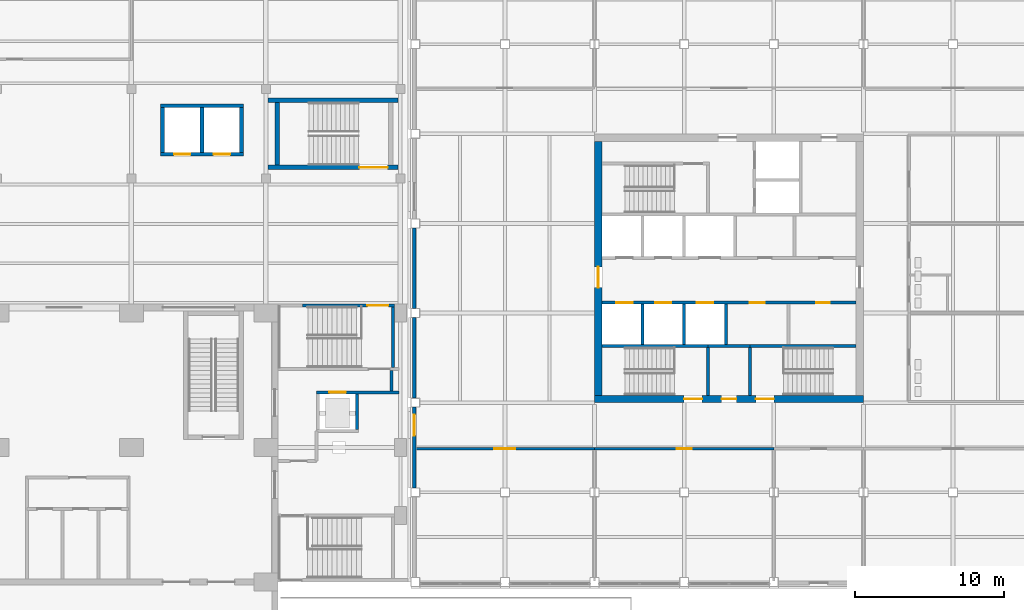
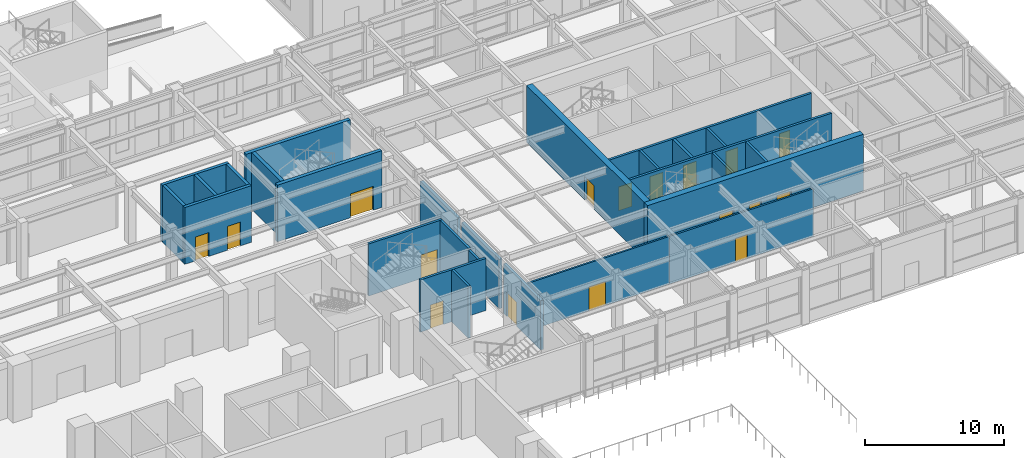
# One storey, part 45 of 77: 29 walls, 17 doors, 17 openings.
"""IFC4 building model written with IfcOpenShell, lengths in metres."""

from ifc_helpers import new_model, si_unit, direction, frame, frame_2d, origin, place, context, subcontext, project, spatial, rectangle, extrude, material, layer, layer_set, type_object, element, fill, save


model = new_model("IFC4")

# Units and contexts
model_context = context("Model", 3, precision=1e-05, world=origin(), true_north=direction((0.0, 1.0)))
body_context = subcontext(model_context, "Body", "Model", "MODEL_VIEW")
ifc_project = project(units=[si_unit("LENGTHUNIT", "METRE"), si_unit("AREAUNIT", "SQUARE_METRE"), si_unit("VOLUMEUNIT", "CUBIC_METRE"), si_unit("PLANEANGLEUNIT", "RADIAN"), si_unit("MASSUNIT", "GRAM", prefix="KILO")], contexts=[model_context])

# Site, building, storey
site_placement = place(None, origin())
site = spatial("IfcSite", under=ifc_project, at=site_placement, CompositionType="ELEMENT")
building_placement = place(site_placement, origin())
building = spatial("IfcBuilding", under=site, at=building_placement, Name="Aravalli Gate Trade Fair Centre", CompositionType="ELEMENT")
storey_placement = place(building_placement, origin())
storey = spatial("IfcBuildingStorey", under=building, at=storey_placement, Name="L00", CompositionType="ELEMENT", Elevation=0.0)

# Wall, opening, door
ifc_material_1 = material(Name="Concrete M30", Category="concrete")
ifc_layer_1 = layer(ifc_material_1, 0.2099609375, Name="Reinforced concrete")
ifc_material_2 = material(Name="Terracotta cladding", Category="masonry")
ifc_layer_2 = layer(ifc_material_2, 0.0400390625, Name="Terracotta cladding")
ifc_layer_set_1 = layer_set([ifc_layer_1, ifc_layer_2], Name="Link external wall 250")
wall_type_1 = type_object("IfcWallType", Name="Link external wall 250", PredefinedType="SOLIDWALL", material=ifc_layer_set_1)
wall_1_placement = place(storey_placement, frame((152.449951171875, 109.5, 0.0), z_axis=(0.0, 0.0, 1.0), x_axis=(1.0, 0.0, 0.0)))
wall_1 = element("IfcWall", 1, at=wall_1_placement, inside=storey, type_object=wall_type_1, Name="Link wall N2 L00", PredefinedType="SOLIDWALL", context=body_context, shape_type="SweptSolid", body=[
    extrude(rectangle(XDim=6.150146484375, YDim=0.199951171875, at=frame_2d((3.0751953125, 0.0))), origin(), (0.0, 0.0, 1.0), 4.590087890625),
])
opening_1_placement = place(wall_1_placement, frame((4.35009765625, 0.0, 0.0)))
opening_1 = element("IfcOpeningElement", 2, at=opening_1_placement, cuts=wall_1, Name="Opening T-L00-232", PredefinedType="OPENING", context=body_context, shape_type="SweptSolid", body=[
    extrude(rectangle(XDim=1.39990234375, YDim=2.10009765625, at=frame_2d((0.699951171875, 1.050048828125))), frame((0.0, 0.10986328125, 0.0), z_axis=(0.0, -1.0, 0.0), x_axis=(1.0, 0.0, 0.0)), (0.0, 0.0, 1.0), 0.219970703125),
])
ifc_material_3 = material(Name="Steel, fire rated", Category="steel")
door_type_1 = type_object("IfcDoorType", Name="Wing fire door FD120 1400 x 2100", OperationType="DOUBLE_DOOR_SINGLE_SWING", PredefinedType="DOOR", material=ifc_material_3)
door_1_placement = place(opening_1_placement, origin())
door_1 = element("IfcDoor", 3, at=door_1_placement, inside=storey, type_object=door_type_1, Name="Link exit door T-L00-232", OperationType="DOUBLE_DOOR_SINGLE_SWING", OverallHeight=2.10009765625, OverallWidth=1.39990234375, PredefinedType="DOOR", context=body_context, shape_type="SweptSolid", body=[
    extrude(rectangle(XDim=1.39990234375, YDim=2.10009765625, at=frame_2d((0.699951171875, 1.050048828125))), frame((0.0, 0.02490234375, 0.0), z_axis=(0.0, -1.0, 0.0), x_axis=(1.0, 0.0, 0.0)), (0.0, 0.0, 1.0), 0.050048828125),
])
fill(opening_1, door_1)

# Wall
ifc_layer_3 = layer(ifc_material_1, 0.199951171875)
ifc_layer_set_2 = layer_set([ifc_layer_3], Name="Concrete M30")
wall_type_2 = type_object("IfcWallType", Name="Link stair enclosure 200", PredefinedType="SOLIDWALL", material=ifc_layer_set_2)
wall_2_placement = place(storey_placement, frame((158.5, 105.35009765625, 0.0), z_axis=(0.0, 0.0, 1.0), x_axis=(0.0, 1.0, 0.0)))
element("IfcWall", 4, at=wall_2_placement, inside=storey, type_object=wall_type_2, Name="Link wall LBE L00", PredefinedType="SOLIDWALL", context=body_context, shape_type="SweptSolid", body=[
    extrude(rectangle(XDim=4.0498046875, YDim=0.199951171875, at=frame_2d((2.02490234375, 0.0))), origin(), (0.0, 0.0, 1.0), 4.590087890625),
])

# Wall, opening, door
wall_3_placement = place(storey_placement, frame((153.39990234375, 103.699951171875, 0.0), z_axis=(0.0, 0.0, 1.0), x_axis=(1.0, 0.0, 0.0)))
wall_3 = element("IfcWall", 5, at=wall_3_placement, inside=storey, type_object=wall_type_2, Name="Link wall FHS L00", PredefinedType="SOLIDWALL", context=body_context, shape_type="SweptSolid", body=[
    extrude(rectangle(XDim=5.4951171875, YDim=0.199951171875, at=frame_2d((2.74755859375, 0.0))), origin(), (0.0, 0.0, 1.0), 4.590087890625),
])
opening_2_placement = place(wall_3_placement, frame((0.85009765625, 0.0, 0.0)))
opening_2 = element("IfcOpeningElement", 6, at=opening_2_placement, cuts=wall_3, Name="Opening T-L00-194", PredefinedType="OPENING", context=body_context, shape_type="SweptSolid", body=[
    extrude(rectangle(XDim=1.10009765625, YDim=2.10009765625, at=frame_2d((0.550048828125, 1.050048828125))), frame((0.0, 0.10986328125, 0.0), z_axis=(0.0, -1.0, 0.0), x_axis=(1.0, 0.0, 0.0)), (0.0, 0.0, 1.0), 0.219970703125),
])
ifc_material_4 = material(Name="Elevator door panels")
door_type_2 = type_object("IfcDoorType", Name="Wing lift landing door 1100 x 2100", OperationType="SLIDING_TO_LEFT", PredefinedType="DOOR", material=ifc_material_4)
door_2_placement = place(opening_2_placement, origin())
door_2 = element("IfcDoor", 7, at=door_2_placement, inside=storey, type_object=door_type_2, Name="Landing door T-L00-194", OperationType="SLIDING_TO_LEFT", OverallHeight=2.10009765625, OverallWidth=1.10009765625, PredefinedType="DOOR", context=body_context, shape_type="SweptSolid", body=[
    extrude(rectangle(XDim=1.10009765625, YDim=2.10009765625, at=frame_2d((0.550048828125, 1.050048828125))), frame((0.0, 0.02490234375, 0.0), z_axis=(0.0, -1.0, 0.0), x_axis=(1.0, 0.0, 0.0)), (0.0, 0.0, 1.0), 0.050048828125),
])
fill(opening_2, door_2)

# Walls
wall_4_placement = place(storey_placement, frame((158.39990234375, 103.800048828125, 0.0), z_axis=(0.0, 0.0, 1.0), x_axis=(0.0, 1.0, 0.0)))
element("IfcWall", 8, at=wall_4_placement, inside=storey, type_object=wall_type_2, Name="Link wall FHE L00", PredefinedType="SOLIDWALL", context=body_context, shape_type="SweptSolid", body=[
    extrude(rectangle(XDim=1.349853515625, YDim=0.199951171875, at=frame_2d((0.6748046875, 0.0))), origin(), (0.0, 0.0, 1.0), 4.590087890625),
])
wall_5_placement = place(storey_placement, frame((156.10009765625, 101.199951171875, 0.0), z_axis=(0.0, 0.0, 1.0), x_axis=(0.0, 1.0, 0.0)))
element("IfcWall", 9, at=wall_5_placement, inside=storey, type_object=wall_type_2, Name="Link wall FHX L00", PredefinedType="SOLIDWALL", context=body_context, shape_type="SweptSolid", body=[
    extrude(rectangle(XDim=2.400146484375, YDim=0.199951171875, at=frame_2d((1.2001953125, 0.0))), origin(), (0.0, 0.0, 1.0), 4.590087890625),
])

# Wall, openings, doors
ifc_material_5 = material(Name="Concrete M40", Category="concrete")
ifc_layer_4 = layer(ifc_material_5, 0.25)
ifc_layer_set_3 = layer_set([ifc_layer_4], Name="Concrete M40")
wall_type_3 = type_object("IfcWallType", Name="RC core wall 250", PredefinedType="SHEAR", material=ifc_layer_set_3)
wall_6_placement = place(storey_placement, frame((142.949951171875, 119.625, 0.0), z_axis=(0.0, 0.0, 1.0), x_axis=(1.0, 0.0, 0.0)))
wall_6 = element("IfcWall", 10, at=wall_6_placement, inside=storey, type_object=wall_type_3, Name="Core wall ELS L00", PredefinedType="SHEAR", context=body_context, shape_type="SweptSolid", body=[
    extrude(rectangle(XDim=5.550048828125, YDim=0.25, at=frame_2d((2.77490234375, 0.0))), origin(), (0.0, 0.0, 1.0), 5.0),
])
opening_3_placement = place(wall_6_placement, frame((0.89990234375, 0.0, 0.0)))
opening_3 = element("IfcOpeningElement", 11, at=opening_3_placement, cuts=wall_6, Name="Opening C-L00-28", PredefinedType="OPENING", context=body_context, shape_type="SweptSolid", body=[
    extrude(rectangle(XDim=1.10009765625, YDim=2.10009765625, at=frame_2d((0.550048828125, 1.050048828125))), frame((0.0, 0.135009765625, 0.0), z_axis=(0.0, -1.0, 0.0), x_axis=(1.0, 0.0, 0.0)), (0.0, 0.0, 1.0), 0.27001953125),
])
opening_4_placement = place(wall_6_placement, frame((3.550048828125, 0.0, 0.0)))
opening_4 = element("IfcOpeningElement", 12, at=opening_4_placement, cuts=wall_6, Name="Opening C-L00-29", PredefinedType="OPENING", context=body_context, shape_type="SweptSolid", body=[
    extrude(rectangle(XDim=1.10009765625, YDim=2.10009765625, at=frame_2d((0.550048828125, 1.050048828125))), frame((0.0, 0.135009765625, 0.0), z_axis=(0.0, -1.0, 0.0), x_axis=(1.0, 0.0, 0.0)), (0.0, 0.0, 1.0), 0.27001953125),
])
door_type_3 = type_object("IfcDoorType", Name="Concourse lift landing door 1100 x 2100", OperationType="DOUBLE_DOOR_SLIDING", PredefinedType="NOTDEFINED", material=ifc_material_3)
door_3_placement = place(opening_3_placement, origin())
door_3 = element("IfcDoor", 13, at=door_3_placement, inside=storey, type_object=door_type_3, Name="Lift landing door EL1 L00", OperationType="DOUBLE_DOOR_SLIDING", OverallHeight=2.10009765625, OverallWidth=1.10009765625, PredefinedType="NOTDEFINED", context=body_context, shape_type="SweptSolid", body=[
    extrude(rectangle(XDim=1.10009765625, YDim=2.10009765625, at=frame_2d((0.550048828125, 1.050048828125))), frame((0.0, 0.02490234375, 0.0), z_axis=(0.0, -1.0, 0.0), x_axis=(1.0, 0.0, 0.0)), (0.0, 0.0, 1.0), 0.050048828125),
])
fill(opening_3, door_3)
door_4_placement = place(opening_4_placement, origin())
door_4 = element("IfcDoor", 14, at=door_4_placement, inside=storey, type_object=door_type_3, Name="Lift landing door EL2 L00", OperationType="DOUBLE_DOOR_SLIDING", OverallHeight=2.10009765625, OverallWidth=1.10009765625, PredefinedType="NOTDEFINED", context=body_context, shape_type="SweptSolid", body=[
    extrude(rectangle(XDim=1.10009765625, YDim=2.10009765625, at=frame_2d((0.550048828125, 1.050048828125))), frame((0.0, 0.02490234375, 0.0), z_axis=(0.0, -1.0, 0.0), x_axis=(1.0, 0.0, 0.0)), (0.0, 0.0, 1.0), 0.050048828125),
])
fill(opening_4, door_4)

# Walls
wall_7_placement = place(storey_placement, frame((142.949951171875, 122.875, 0.0), z_axis=(0.0, 0.0, 1.0), x_axis=(1.0, 0.0, 0.0)))
element("IfcWall", 15, at=wall_7_placement, inside=storey, type_object=wall_type_3, Name="Core wall ELN L00", PredefinedType="SHEAR", context=body_context, shape_type="SweptSolid", body=[
    extrude(rectangle(XDim=5.550048828125, YDim=0.25, at=frame_2d((2.77490234375, 0.0))), origin(), (0.0, 0.0, 1.0), 5.0),
])
for number, where, z_axis, x_axis, name in (
    (16, (143.074951171875, 119.75, 0.0), (0.0, 0.0, 1.0), (0.0, 1.0, 0.0), "Core wall ELW L00"),
    (17, (148.375, 119.75, 0.0), (0.0, 0.0, 1.0), (0.0, 1.0, 0.0), "Core wall ELE L00"),
    (18, (145.72509765625, 119.75, 0.0), (0.0, 0.0, 1.0), (0.0, 1.0, 0.0), "Core wall ELM L00"),
):
    element("IfcWall", number, at=place(storey_placement, frame(where, z_axis=z_axis, x_axis=x_axis)), inside=storey, type_object=wall_type_3, Name=name, PredefinedType="SHEAR", context=body_context, shape_type="SweptSolid", body=[
        extrude(rectangle(XDim=3.0, YDim=0.25, at=frame_2d((1.5, 0.0))), origin(), (0.0, 0.0, 1.0), 5.0),
    ])

# Wall, opening, door
ifc_layer_5 = layer(ifc_material_5, 0.300048828125)
ifc_layer_set_4 = layer_set([ifc_layer_5], Name="Concrete M40")
wall_type_4 = type_object("IfcWallType", Name="RC core wall 300", PredefinedType="SHEAR", material=ifc_layer_set_4)
wall_8_placement = place(storey_placement, frame((150.14990234375, 118.75, 0.0), z_axis=(0.0, 0.0, 1.0), x_axis=(1.0, 0.0, 0.0)))
wall_8 = element("IfcWall", 19, at=wall_8_placement, inside=storey, type_object=wall_type_4, Name="Core wall ESS L00", PredefinedType="SHEAR", context=body_context, shape_type="SweptSolid", body=[
    extrude(rectangle(XDim=8.7001953125, YDim=0.300048828125, at=frame_2d((4.35009765625, 0.0))), origin(), (0.0, 0.0, 1.0), 5.0),
])
opening_5_placement = place(wall_8_placement, frame((6.10009765625, 0.0, 0.0)))
opening_5 = element("IfcOpeningElement", 20, at=opening_5_placement, cuts=wall_8, Name="Opening C-L00-27", PredefinedType="OPENING", context=body_context, shape_type="SweptSolid", body=[
    extrude(rectangle(XDim=1.89990234375, YDim=2.10009765625, at=frame_2d((0.949951171875, 1.050048828125))), frame((0.0, 0.159912109375, 0.0), z_axis=(0.0, -1.0, 0.0), x_axis=(1.0, 0.0, 0.0)), (0.0, 0.0, 1.0), 0.320068359375),
])
door_type_4 = type_object("IfcDoorType", Name="Concourse stair door 1900 x 2100", OperationType="DOUBLE_DOOR_SINGLE_SWING", PredefinedType="NOTDEFINED", material=ifc_material_3)
door_5_placement = place(opening_5_placement, frame((1.89990234375, 0.0, 0.0), z_axis=(0.0, 0.0, 1.0), x_axis=(-1.0, 0.0, 0.0)))
door_5 = element("IfcDoor", 21, at=door_5_placement, inside=storey, type_object=door_type_4, Name="Stair door ES L00", OperationType="DOUBLE_DOOR_SINGLE_SWING", OverallHeight=2.10009765625, OverallWidth=1.89990234375, PredefinedType="NOTDEFINED", context=body_context, shape_type="SweptSolid", body=[
    extrude(rectangle(XDim=1.89990234375, YDim=2.10009765625, at=frame_2d((0.949951171875, 1.050048828125))), frame((0.0, 0.02490234375, 0.0), z_axis=(0.0, -1.0, 0.0), x_axis=(1.0, 0.0, 0.0)), (0.0, 0.0, 1.0), 0.050048828125),
])
fill(opening_5, door_5)

# Walls
wall_9_placement = place(storey_placement, frame((150.14990234375, 123.25, 0.0), z_axis=(0.0, 0.0, 1.0), x_axis=(1.0, 0.0, 0.0)))
element("IfcWall", 22, at=wall_9_placement, inside=storey, type_object=wall_type_4, Name="Core wall ESN L00", PredefinedType="SHEAR", context=body_context, shape_type="SweptSolid", body=[
    extrude(rectangle(XDim=8.7001953125, YDim=0.300048828125, at=frame_2d((4.35009765625, 0.0))), origin(), (0.0, 0.0, 1.0), 5.0),
])
wall_10_placement = place(storey_placement, frame((150.75, 118.89990234375, 0.0), z_axis=(0.0, 0.0, 1.0), x_axis=(0.0, 1.0, 0.0)))
element("IfcWall", 23, at=wall_10_placement, inside=storey, type_object=wall_type_4, Name="Core wall ESW L00", PredefinedType="SHEAR", context=body_context, shape_type="SweptSolid", body=[
    extrude(rectangle(XDim=4.2001953125, YDim=0.300048828125, at=frame_2d((2.10009765625, 0.0))), origin(), (0.0, 0.0, 1.0), 5.0),
])
ifc_layer_6 = layer(ifc_material_1, 0.199951171875)
ifc_layer_set_5 = layer_set([ifc_layer_6], Name="Concrete M30")
wall_type_5 = type_object("IfcWallType", Name="Wing core internal wall 200 (EI 120, lift shaft)", PredefinedType="SOLIDWALL", material=ifc_layer_set_5)
wall_11_placement = place(storey_placement, frame((172.5, 106.800048828125, 0.0), z_axis=(0.0, 0.0, 1.0), x_axis=(1.0, 0.0, 0.0)))
element("IfcWall", 24, at=wall_11_placement, inside=storey, type_object=wall_type_5, Name="Core wall S-REAR-W L00", PredefinedType="SOLIDWALL", context=body_context, shape_type="SweptSolid", body=[
    extrude(rectangle(XDim=7.10009765625, YDim=0.199951171875, at=frame_2d((3.550048828125, 0.0))), origin(), (0.0, 0.0, 1.0), 4.800048828125),
])
wall_12_placement = place(storey_placement, frame((179.60009765625, 106.800048828125, 0.0), z_axis=(0.0, 0.0, 1.0), x_axis=(1.0, 0.0, 0.0)))
element("IfcWall", 25, at=wall_12_placement, inside=storey, type_object=wall_type_5, Name="Core wall S-REAR-M L00", PredefinedType="SOLIDWALL", context=body_context, shape_type="SweptSolid", body=[
    extrude(rectangle(XDim=2.7998046875, YDim=0.199951171875, at=frame_2d((1.39990234375, 0.0))), origin(), (0.0, 0.0, 1.0), 4.800048828125),
])
wall_13_placement = place(storey_placement, frame((182.39990234375, 106.800048828125, 0.0), z_axis=(0.0, 0.0, 1.0), x_axis=(1.0, 0.0, 0.0)))
element("IfcWall", 26, at=wall_13_placement, inside=storey, type_object=wall_type_5, Name="Core wall S-REAR-E L00", PredefinedType="SOLIDWALL", context=body_context, shape_type="SweptSolid", body=[
    extrude(rectangle(XDim=7.10009765625, YDim=0.199951171875, at=frame_2d((3.550048828125, 0.0))), origin(), (0.0, 0.0, 1.0), 4.800048828125),
])
for number, where, z_axis, x_axis, name in (
    (27, (175.199951171875, 106.89990234375, 0.0), (0.0, 0.0, 1.0), (0.0, 1.0, 0.0), "Core wall SB-3.2 L00"),
    (28, (178.0, 106.89990234375, 0.0), (0.0, 0.0, 1.0), (0.0, 1.0, 0.0), "Core wall SB-6.0 L00"),
    (29, (180.800048828125, 106.89990234375, 0.0), (0.0, 0.0, 1.0), (0.0, 1.0, 0.0), "Core wall SB-8.8 L00"),
):
    element("IfcWall", number, at=place(storey_placement, frame(where, z_axis=z_axis, x_axis=x_axis)), inside=storey, type_object=wall_type_5, Name=name, PredefinedType="SOLIDWALL", context=body_context, shape_type="SweptSolid", body=[
        extrude(rectangle(XDim=2.7001953125, YDim=0.199951171875, at=frame_2d((1.35009765625, 0.0))), origin(), (0.0, 0.0, 1.0), 4.800048828125),
    ])

# Wall, openings, doors
wall_14_placement = place(storey_placement, frame((172.5, 109.699951171875, 0.0), z_axis=(0.0, 0.0, 1.0), x_axis=(1.0, 0.0, 0.0)))
wall_14 = element("IfcWall", 30, at=wall_14_placement, inside=storey, type_object=wall_type_5, Name="Core wall S-FRONT L00", PredefinedType="SOLIDWALL", context=body_context, shape_type="SweptSolid", body=[
    extrude(rectangle(XDim=17.0, YDim=0.199951171875, at=frame_2d((8.5, 0.0))), origin(), (0.0, 0.0, 1.0), 4.800048828125),
])
opening_6_placement = place(wall_14_placement, frame((0.949951171875, 0.0, 0.0)))
opening_6 = element("IfcOpeningElement", 31, at=opening_6_placement, cuts=wall_14, Name="Opening T-L00-111", PredefinedType="OPENING", context=body_context, shape_type="SweptSolid", body=[
    extrude(rectangle(XDim=1.10009765625, YDim=2.10009765625, at=frame_2d((0.550048828125, 1.050048828125))), frame((0.0, 0.10986328125, 0.0), z_axis=(0.0, -1.0, 0.0), x_axis=(1.0, 0.0, 0.0)), (0.0, 0.0, 1.0), 0.219970703125),
])
opening_7_placement = place(wall_14_placement, frame((3.550048828125, 0.0, 0.0)))
opening_7 = element("IfcOpeningElement", 32, at=opening_7_placement, cuts=wall_14, Name="Opening T-L00-112", PredefinedType="OPENING", context=body_context, shape_type="SweptSolid", body=[
    extrude(rectangle(XDim=1.10009765625, YDim=2.10009765625, at=frame_2d((0.550048828125, 1.050048828125))), frame((0.0, 0.10986328125, 0.0), z_axis=(0.0, -1.0, 0.0), x_axis=(1.0, 0.0, 0.0)), (0.0, 0.0, 1.0), 0.219970703125),
])
opening_8_placement = place(wall_14_placement, frame((6.35009765625, 0.0, 0.0)))
opening_8 = element("IfcOpeningElement", 33, at=opening_8_placement, cuts=wall_14, Name="Opening T-L00-113", PredefinedType="OPENING", context=body_context, shape_type="SweptSolid", body=[
    extrude(rectangle(XDim=1.10009765625, YDim=2.10009765625, at=frame_2d((0.550048828125, 1.050048828125))), frame((0.0, 0.10986328125, 0.0), z_axis=(0.0, -1.0, 0.0), x_axis=(1.0, 0.0, 0.0)), (0.0, 0.0, 1.0), 0.219970703125),
])
opening_9_placement = place(wall_14_placement, frame((9.89990234375, 0.0, 0.0)))
opening_9 = element("IfcOpeningElement", 34, at=opening_9_placement, cuts=wall_14, Name="Opening T-L00-114", PredefinedType="OPENING", context=body_context, shape_type="SweptSolid", body=[
    extrude(rectangle(XDim=1.0, YDim=2.10009765625, at=frame_2d((0.5, 1.050048828125))), frame((0.0, 0.10986328125, 0.0), z_axis=(0.0, -1.0, 0.0), x_axis=(1.0, 0.0, 0.0)), (0.0, 0.0, 1.0), 0.219970703125),
])
opening_10_placement = place(wall_14_placement, frame((14.35009765625, 0.0, 0.0)))
opening_10 = element("IfcOpeningElement", 35, at=opening_10_placement, cuts=wall_14, Name="Opening T-L00-115", PredefinedType="OPENING", context=body_context, shape_type="SweptSolid", body=[
    extrude(rectangle(XDim=0.89990234375, YDim=2.10009765625, at=frame_2d((0.449951171875, 1.050048828125))), frame((0.0, 0.10986328125, 0.0), z_axis=(0.0, -1.0, 0.0), x_axis=(1.0, 0.0, 0.0)), (0.0, 0.0, 1.0), 0.219970703125),
])
door_type_5 = type_object("IfcDoorType", Name="Wing fire door FD120 1000 x 2100", OperationType="SINGLE_SWING_LEFT", PredefinedType="DOOR", material=ifc_material_3)
door_6_placement = place(opening_9_placement, frame((1.0, 0.0, 0.0), z_axis=(0.0, 0.0, 1.0), x_axis=(-1.0, 0.0, 0.0)))
door_6 = element("IfcDoor", 36, at=door_6_placement, inside=storey, type_object=door_type_5, Name="Core door T-L00-114", OperationType="SINGLE_SWING_RIGHT", OverallHeight=2.10009765625, OverallWidth=1.0, PredefinedType="DOOR", context=body_context, shape_type="SweptSolid", body=[
    extrude(rectangle(XDim=1.0, YDim=2.10009765625, at=frame_2d((0.5, 1.050048828125))), frame((0.0, 0.02490234375, 0.0), z_axis=(0.0, -1.0, 0.0), x_axis=(1.0, 0.0, 0.0)), (0.0, 0.0, 1.0), 0.050048828125),
])
fill(opening_9, door_6)
door_type_6 = type_object("IfcDoorType", Name="Wing fire door FD120 900 x 2100", OperationType="SINGLE_SWING_LEFT", PredefinedType="DOOR", material=ifc_material_3)
door_7_placement = place(opening_10_placement, frame((0.89990234375, 0.0, 0.0), z_axis=(0.0, 0.0, 1.0), x_axis=(-1.0, 0.0, 0.0)))
door_7 = element("IfcDoor", 37, at=door_7_placement, inside=storey, type_object=door_type_6, Name="Core door T-L00-115", OperationType="SINGLE_SWING_LEFT", OverallHeight=2.10009765625, OverallWidth=0.89990234375, PredefinedType="DOOR", context=body_context, shape_type="SweptSolid", body=[
    extrude(rectangle(XDim=0.89990234375, YDim=2.10009765625, at=frame_2d((0.449951171875, 1.050048828125))), frame((0.0, 0.02490234375, 0.0), z_axis=(0.0, -1.0, 0.0), x_axis=(1.0, 0.0, 0.0)), (0.0, 0.0, 1.0), 0.050048828125),
])
fill(opening_10, door_7)
door_8_placement = place(opening_6_placement, origin())
door_8 = element("IfcDoor", 38, at=door_8_placement, inside=storey, type_object=door_type_2, Name="Landing door T-L00-111", OperationType="SLIDING_TO_LEFT", OverallHeight=2.10009765625, OverallWidth=1.10009765625, PredefinedType="DOOR", context=body_context, shape_type="SweptSolid", body=[
    extrude(rectangle(XDim=1.10009765625, YDim=2.10009765625, at=frame_2d((0.550048828125, 1.050048828125))), frame((0.0, 0.02490234375, 0.0), z_axis=(0.0, -1.0, 0.0), x_axis=(1.0, 0.0, 0.0)), (0.0, 0.0, 1.0), 0.050048828125),
])
fill(opening_6, door_8)
door_9_placement = place(opening_7_placement, origin())
door_9 = element("IfcDoor", 39, at=door_9_placement, inside=storey, type_object=door_type_2, Name="Landing door T-L00-112", OperationType="SLIDING_TO_LEFT", OverallHeight=2.10009765625, OverallWidth=1.10009765625, PredefinedType="DOOR", context=body_context, shape_type="SweptSolid", body=[
    extrude(rectangle(XDim=1.10009765625, YDim=2.10009765625, at=frame_2d((0.550048828125, 1.050048828125))), frame((0.0, 0.02490234375, 0.0), z_axis=(0.0, -1.0, 0.0), x_axis=(1.0, 0.0, 0.0)), (0.0, 0.0, 1.0), 0.050048828125),
])
fill(opening_7, door_9)
door_10_placement = place(opening_8_placement, origin())
door_10 = element("IfcDoor", 40, at=door_10_placement, inside=storey, type_object=door_type_2, Name="Landing door T-L00-113", OperationType="SLIDING_TO_LEFT", OverallHeight=2.10009765625, OverallWidth=1.10009765625, PredefinedType="DOOR", context=body_context, shape_type="SweptSolid", body=[
    extrude(rectangle(XDim=1.10009765625, YDim=2.10009765625, at=frame_2d((0.550048828125, 1.050048828125))), frame((0.0, 0.02490234375, 0.0), z_axis=(0.0, -1.0, 0.0), x_axis=(1.0, 0.0, 0.0)), (0.0, 0.0, 1.0), 0.050048828125),
])
fill(opening_8, door_10)

# Walls
ifc_layer_7 = layer(ifc_material_1, 0.199951171875)
ifc_layer_set_6 = layer_set([ifc_layer_7], Name="Concrete M30")
wall_type_6 = type_object("IfcWallType", Name="Wing core internal wall 200 (EI 120, stair enclosure)", PredefinedType="SOLIDWALL", material=ifc_layer_set_6)
for number, where, z_axis, x_axis, name in (
    (41, (179.60009765625, 103.5, 0.0), (0.0, 0.0, 1.0), (0.0, 1.0, 0.0), "Core wall S-AB L00"),
    (42, (182.39990234375, 103.5, 0.0), (0.0, 0.0, 1.0), (0.0, 1.0, 0.0), "Core wall S-BC L00"),
):
    element("IfcWall", number, at=place(storey_placement, frame(where, z_axis=z_axis, x_axis=x_axis)), inside=storey, type_object=wall_type_6, Name=name, PredefinedType="SOLIDWALL", context=body_context, shape_type="SweptSolid", body=[
        extrude(rectangle(XDim=3.199951171875, YDim=0.199951171875, at=frame_2d((1.60009765625, 0.0))), origin(), (0.0, 0.0, 1.0), 4.800048828125),
    ])

# Wall, openings, doors
ifc_material_6 = material(Name="Concrete M50", Category="concrete")
ifc_layer_8 = layer(ifc_material_6, 0.5)
ifc_layer_set_7 = layer_set([ifc_layer_8], Name="Concrete M50")
wall_type_7 = type_object("IfcWallType", Name="Wing core shear wall 500", PredefinedType="SHEAR", material=ifc_layer_set_7)
wall_15_placement = place(storey_placement, frame((172.0, 103.25, 0.0), z_axis=(0.0, 0.0, 1.0), x_axis=(1.0, 0.0, 0.0)))
wall_15 = element("IfcWall", 43, at=wall_15_placement, inside=storey, type_object=wall_type_7, Name="Core wall S L00", PredefinedType="SHEAR", context=body_context, shape_type="SweptSolid", body=[
    extrude(rectangle(XDim=18.0, YDim=0.5, at=frame_2d((9.0, 0.0))), origin(), (0.0, 0.0, 1.0), 5.0),
])
opening_11_placement = place(wall_15_placement, frame((8.5, 0.0, 0.0)))
opening_11 = element("IfcOpeningElement", 44, at=opening_11_placement, cuts=wall_15, Name="Opening T-L00-102", PredefinedType="OPENING", context=body_context, shape_type="SweptSolid", body=[
    extrude(rectangle(XDim=1.0, YDim=2.10009765625, at=frame_2d((0.5, 1.050048828125))), frame((0.0, 0.260009765625, 0.0), z_axis=(0.0, -1.0, 0.0), x_axis=(1.0, 0.0, 0.0)), (0.0, 0.0, 1.0), 0.52001953125),
])
opening_12_placement = place(wall_15_placement, frame((6.0, 0.0, 0.0)))
opening_12 = element("IfcOpeningElement", 45, at=opening_12_placement, cuts=wall_15, Name="Opening T-L00-101", PredefinedType="OPENING", context=body_context, shape_type="SweptSolid", body=[
    extrude(rectangle(XDim=1.199951171875, YDim=2.10009765625, at=frame_2d((0.60009765625, 1.050048828125))), frame((0.0, 0.260009765625, 0.0), z_axis=(0.0, -1.0, 0.0), x_axis=(1.0, 0.0, 0.0)), (0.0, 0.0, 1.0), 0.52001953125),
])
opening_13_placement = place(wall_15_placement, frame((10.800048828125, 0.0, 0.0)))
opening_13 = element("IfcOpeningElement", 46, at=opening_13_placement, cuts=wall_15, Name="Opening T-L00-103", PredefinedType="OPENING", context=body_context, shape_type="SweptSolid", body=[
    extrude(rectangle(XDim=1.199951171875, YDim=2.10009765625, at=frame_2d((0.60009765625, 1.050048828125))), frame((0.0, 0.260009765625, 0.0), z_axis=(0.0, -1.0, 0.0), x_axis=(1.0, 0.0, 0.0)), (0.0, 0.0, 1.0), 0.52001953125),
])
door_11_placement = place(opening_11_placement, origin())
door_11 = element("IfcDoor", 47, at=door_11_placement, inside=storey, type_object=door_type_5, Name="Core door T-L00-102", OperationType="SINGLE_SWING_LEFT", OverallHeight=2.10009765625, OverallWidth=1.0, PredefinedType="DOOR", context=body_context, shape_type="SweptSolid", body=[
    extrude(rectangle(XDim=1.0, YDim=2.10009765625, at=frame_2d((0.5, 1.050048828125))), frame((0.0, 0.02490234375, 0.0), z_axis=(0.0, -1.0, 0.0), x_axis=(1.0, 0.0, 0.0)), (0.0, 0.0, 1.0), 0.050048828125),
])
fill(opening_11, door_11)
door_type_7 = type_object("IfcDoorType", Name="Wing fire door FD120 1200 x 2100", OperationType="SINGLE_SWING_LEFT", PredefinedType="DOOR", material=ifc_material_3)
door_12_placement = place(opening_12_placement, origin())
door_12 = element("IfcDoor", 48, at=door_12_placement, inside=storey, type_object=door_type_7, Name="Core door T-L00-101", OperationType="SINGLE_SWING_RIGHT", OverallHeight=2.10009765625, OverallWidth=1.199951171875, PredefinedType="DOOR", context=body_context, shape_type="SweptSolid", body=[
    extrude(rectangle(XDim=1.199951171875, YDim=2.10009765625, at=frame_2d((0.60009765625, 1.050048828125))), frame((0.0, 0.02490234375, 0.0), z_axis=(0.0, -1.0, 0.0), x_axis=(1.0, 0.0, 0.0)), (0.0, 0.0, 1.0), 0.050048828125),
])
fill(opening_12, door_12)
door_13_placement = place(opening_13_placement, origin())
door_13 = element("IfcDoor", 49, at=door_13_placement, inside=storey, type_object=door_type_7, Name="Core door T-L00-103", OperationType="SINGLE_SWING_LEFT", OverallHeight=2.10009765625, OverallWidth=1.199951171875, PredefinedType="DOOR", context=body_context, shape_type="SweptSolid", body=[
    extrude(rectangle(XDim=1.199951171875, YDim=2.10009765625, at=frame_2d((0.60009765625, 1.050048828125))), frame((0.0, 0.02490234375, 0.0), z_axis=(0.0, -1.0, 0.0), x_axis=(1.0, 0.0, 0.0)), (0.0, 0.0, 1.0), 0.050048828125),
])
fill(opening_13, door_13)

# Wall, opening, door
wall_16_placement = place(storey_placement, frame((172.25, 103.5, 0.0), z_axis=(0.0, 0.0, 1.0), x_axis=(0.0, 1.0, 0.0)))
wall_16 = element("IfcWall", 50, at=wall_16_placement, inside=storey, type_object=wall_type_7, Name="Core wall W L00", PredefinedType="SHEAR", context=body_context, shape_type="SweptSolid", body=[
    extrude(rectangle(XDim=17.0, YDim=0.5, at=frame_2d((8.5, 0.0))), origin(), (0.0, 0.0, 1.0), 5.0),
])
opening_14_placement = place(wall_16_placement, frame((7.199951171875, 0.0, 0.0)))
opening_14 = element("IfcOpeningElement", 51, at=opening_14_placement, cuts=wall_16, Name="Opening T-L00-106", PredefinedType="OPENING", context=body_context, shape_type="SweptSolid", body=[
    extrude(rectangle(XDim=1.39990234375, YDim=2.10009765625, at=frame_2d((0.699951171875, 1.050048828125))), frame((0.0, 0.260009765625, 0.0), z_axis=(0.0, -1.0, 0.0), x_axis=(1.0, 0.0, 0.0)), (0.0, 0.0, 1.0), 0.52001953125),
])
door_14_placement = place(opening_14_placement, origin())
door_14 = element("IfcDoor", 52, at=door_14_placement, inside=storey, type_object=door_type_1, Name="Core door T-L00-106", OperationType="DOUBLE_DOOR_SINGLE_SWING", OverallHeight=2.10009765625, OverallWidth=1.39990234375, PredefinedType="DOOR", context=body_context, shape_type="SweptSolid", body=[
    extrude(rectangle(XDim=1.39990234375, YDim=2.10009765625, at=frame_2d((0.699951171875, 1.050048828125))), frame((0.0, 0.02490234375, 0.0), z_axis=(0.0, -1.0, 0.0), x_axis=(1.0, 0.0, 0.0)), (0.0, 0.0, 1.0), 0.050048828125),
])
fill(opening_14, door_14)

ifc_material_7 = material(Name="Blockwork with fire-rated lining", Category="masonry")
ifc_layer_9 = layer(ifc_material_7, 0.14990234375)
ifc_layer_set_8 = layer_set([ifc_layer_9], Name="Blockwork with fire-rated lining")
wall_type_8 = type_object("IfcWallType", Name="Wing partition 150 (EI 60, corridor wall)", PredefinedType="PARTITIONING", material=ifc_layer_set_8)
wall_17_placement = place(storey_placement, frame((160.050048828125, 99.925048828125, 0.0), z_axis=(0.0, 0.0, 1.0), x_axis=(1.0, 0.0, 0.0)))
wall_17 = element("IfcWall", 53, at=wall_17_placement, inside=storey, type_object=wall_type_8, Name="Partition SW1 L00", PredefinedType="PARTITIONING", context=body_context, shape_type="SweptSolid", body=[
    extrude(rectangle(XDim=11.949951171875, YDim=0.14990234375, at=frame_2d((5.97509765625, 0.0))), origin(), (0.0, 0.0, 1.0), 4.199951171875),
])
opening_15_placement = place(wall_17_placement, frame((5.237548828125, 0.0, 0.0)))
opening_15 = element("IfcOpeningElement", 54, at=opening_15_placement, cuts=wall_17, Name="Opening T-L00-141", PredefinedType="OPENING", context=body_context, shape_type="SweptSolid", body=[
    extrude(rectangle(XDim=1.39990234375, YDim=2.10009765625, at=frame_2d((0.699951171875, 1.050048828125))), frame((0.0, 0.0849609375, 0.0), z_axis=(0.0, -1.0, 0.0), x_axis=(1.0, 0.0, 0.0)), (0.0, 0.0, 1.0), 0.169921875),
])
door_type_8 = type_object("IfcDoorType", Name="Wing fire door FD60 1400 x 2100", OperationType="DOUBLE_DOOR_SINGLE_SWING", PredefinedType="DOOR", material=ifc_material_3)
door_15_placement = place(opening_15_placement, origin())
door_15 = element("IfcDoor", 55, at=door_15_placement, inside=storey, type_object=door_type_8, Name="Door T-L00-141", OperationType="DOUBLE_DOOR_SINGLE_SWING", OverallHeight=2.10009765625, OverallWidth=1.39990234375, PredefinedType="DOOR", context=body_context, shape_type="SweptSolid", body=[
    extrude(rectangle(XDim=1.39990234375, YDim=2.10009765625, at=frame_2d((0.699951171875, 1.050048828125))), frame((0.0, 0.02490234375, 0.0), z_axis=(0.0, -1.0, 0.0), x_axis=(1.0, 0.0, 0.0)), (0.0, 0.0, 1.0), 0.050048828125),
])
fill(opening_15, door_15)

wall_18_placement = place(storey_placement, frame((172.0, 99.925048828125, 0.0), z_axis=(0.0, 0.0, 1.0), x_axis=(1.0, 0.0, 0.0)))
wall_18 = element("IfcWall", 56, at=wall_18_placement, inside=storey, type_object=wall_type_8, Name="Partition SW2 L00", PredefinedType="PARTITIONING", context=body_context, shape_type="SweptSolid", body=[
    extrude(rectangle(XDim=12.0, YDim=0.14990234375, at=frame_2d((6.0, 0.0))), origin(), (0.0, 0.0, 1.0), 4.199951171875),
])
opening_16_placement = place(wall_18_placement, frame((5.5, 0.0, 0.0)))
opening_16 = element("IfcOpeningElement", 57, at=opening_16_placement, cuts=wall_18, Name="Opening T-L00-142", PredefinedType="OPENING", context=body_context, shape_type="SweptSolid", body=[
    extrude(rectangle(XDim=1.0, YDim=2.10009765625, at=frame_2d((0.5, 1.050048828125))), frame((0.0, 0.0849609375, 0.0), z_axis=(0.0, -1.0, 0.0), x_axis=(1.0, 0.0, 0.0)), (0.0, 0.0, 1.0), 0.169921875),
])
door_type_9 = type_object("IfcDoorType", Name="Wing fire door FD60 1000 x 2100", OperationType="SINGLE_SWING_LEFT", PredefinedType="DOOR", material=ifc_material_3)
door_16_placement = place(opening_16_placement, frame((1.0, 0.0, 0.0), z_axis=(0.0, 0.0, 1.0), x_axis=(-1.0, 0.0, 0.0)))
door_16 = element("IfcDoor", 58, at=door_16_placement, inside=storey, type_object=door_type_9, Name="Door T-L00-142", OperationType="SINGLE_SWING_LEFT", OverallHeight=2.10009765625, OverallWidth=1.0, PredefinedType="DOOR", context=body_context, shape_type="SweptSolid", body=[
    extrude(rectangle(XDim=1.0, YDim=2.10009765625, at=frame_2d((0.5, 1.050048828125))), frame((0.0, 0.02490234375, 0.0), z_axis=(0.0, -1.0, 0.0), x_axis=(1.0, 0.0, 0.0)), (0.0, 0.0, 1.0), 0.050048828125),
])
fill(opening_16, door_16)

ifc_material_8 = material(Name="Concrete block masonry", Category="masonry")
ifc_layer_10 = layer(ifc_material_8, 0.2099609375, Name="Block masonry")
ifc_layer_11 = layer(ifc_material_2, 0.0400390625, Name="Terracotta cladding")
ifc_layer_set_9 = layer_set([ifc_layer_10, ifc_layer_11], Name="Wing west closing wall 250")
wall_type_9 = type_object("IfcWallType", Name="Wing west closing wall 250", PredefinedType="SOLIDWALL", material=ifc_layer_set_9)
wall_19_placement = place(storey_placement, frame((159.925048828125, 97.300048828125, 0.0), z_axis=(0.0, 0.0, 1.0), x_axis=(0.0, 1.0, 0.0)))
wall_19 = element("IfcWall", 59, at=wall_19_placement, inside=storey, type_object=wall_type_9, Name="Facade wall W1 L00", PredefinedType="SOLIDWALL", context=body_context, shape_type="SweptSolid", body=[
    extrude(rectangle(XDim=5.39990234375, YDim=0.25, at=frame_2d((2.699951171875, 0.0))), origin(), (0.0, 0.0, 1.0), 4.35009765625),
])
opening_17_placement = place(wall_19_placement, frame((3.5, 0.0, 0.0)))
opening_17 = element("IfcOpeningElement", 60, at=opening_17_placement, cuts=wall_19, Name="Opening T-L00-181", PredefinedType="OPENING", context=body_context, shape_type="SweptSolid", body=[
    extrude(rectangle(XDim=1.39990234375, YDim=2.10009765625, at=frame_2d((0.699951171875, 1.050048828125))), frame((0.0, 0.135009765625, 0.0), z_axis=(0.0, -1.0, 0.0), x_axis=(1.0, 0.0, 0.0)), (0.0, 0.0, 1.0), 0.27001953125),
])
door_17_placement = place(opening_17_placement, frame((1.39990234375, 0.0, 0.0), z_axis=(0.0, 0.0, 1.0), x_axis=(-1.0, 0.0, 0.0)))
door_17 = element("IfcDoor", 61, at=door_17_placement, inside=storey, type_object=door_type_1, Name="Door T-L00-181", OperationType="DOUBLE_DOOR_SINGLE_SWING", OverallHeight=2.10009765625, OverallWidth=1.39990234375, PredefinedType="DOOR", context=body_context, shape_type="SweptSolid", body=[
    extrude(rectangle(XDim=1.39990234375, YDim=2.10009765625, at=frame_2d((0.699951171875, 1.050048828125))), frame((0.0, 0.02490234375, 0.0), z_axis=(0.0, -1.0, 0.0), x_axis=(1.0, 0.0, 0.0)), (0.0, 0.0, 1.0), 0.050048828125),
])
fill(opening_17, door_17)

# Walls
for number, where, z_axis, x_axis, name in (
    (62, (159.925048828125, 103.300048828125, 0.0), (0.0, 0.0, 1.0), (0.0, 1.0, 0.0), "Facade wall W2 L00"),
    (63, (159.925048828125, 109.300048828125, 0.0), (0.0, 0.0, 1.0), (0.0, 1.0, 0.0), "Facade wall W3 L00"),
):
    element("IfcWall", number, at=place(storey_placement, frame(where, z_axis=z_axis, x_axis=x_axis)), inside=storey, type_object=wall_type_9, Name=name, PredefinedType="SOLIDWALL", context=body_context, shape_type="SweptSolid", body=[
        extrude(rectangle(XDim=5.39990234375, YDim=0.25, at=frame_2d((2.699951171875, 0.0))), origin(), (0.0, 0.0, 1.0), 4.35009765625),
    ])

save(model, "model.ifc")
